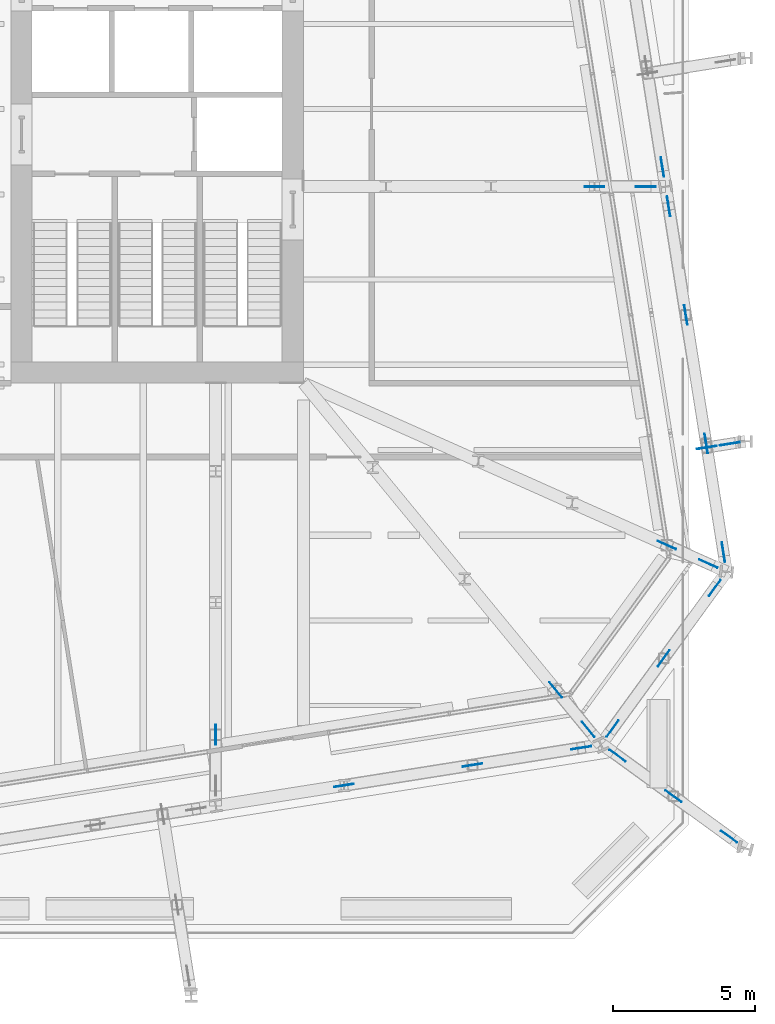
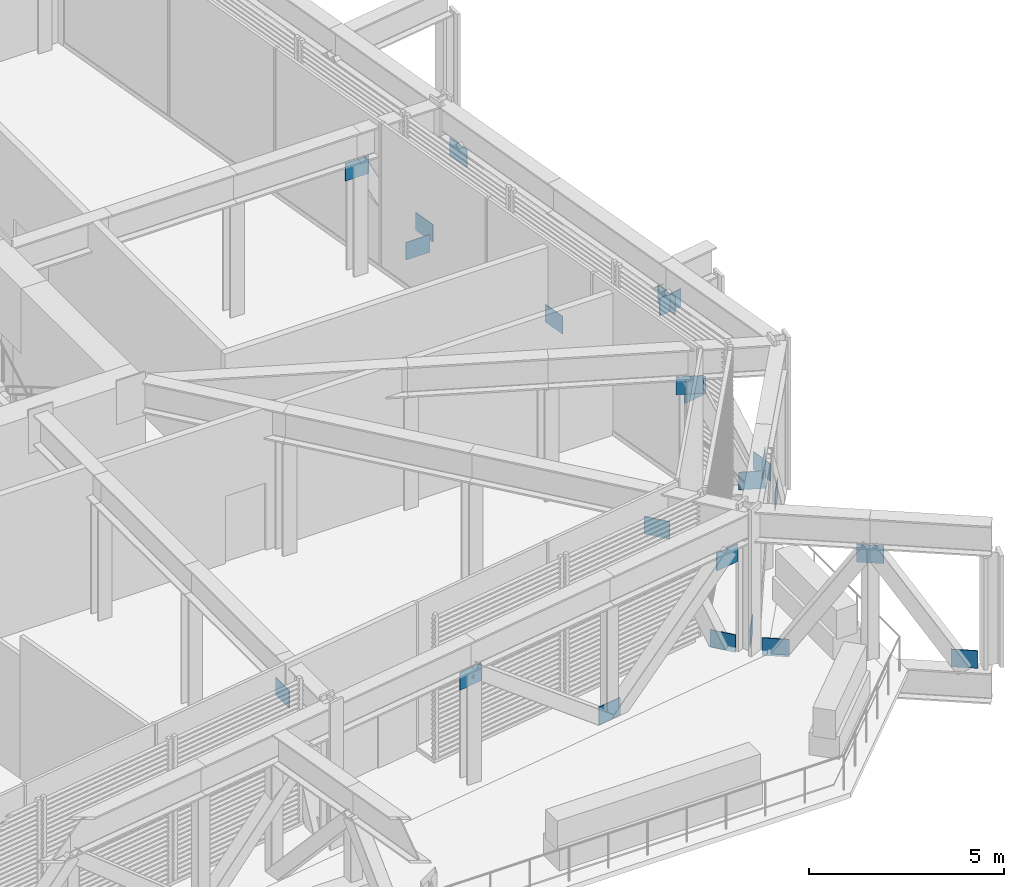
# One storey, part 26 of 32: 23 discrete accessories.
"""IFC4 building model written with IfcOpenShell, lengths in metres."""

import ifcopenshell
import ifcopenshell.guid

model = None  # the IFC model being written
_history = None  # IfcOwnerHistory: only IFC2X3 demands one
_inside = {}  # id of a spatial element -> (the spatial element, [elements in it])
_under = {}  # id of a project, library or spatial element -> (it, [spatial elements below it])
_declared = {}  # id of a project -> (the project, [libraries it declares])
_typed = {}  # id of a type object -> (the type object, [elements of that type])
_made_of = {}  # id of a material, layer set ... -> (it, [elements and type objects made of it])


def new_model(schema):
    """Start an empty IFC model of exactly this schema.

    Asked for "IFC4X3", IfcOpenShell would pick the latest addendum, in which some entities
    have other attributes; the version numbers below select the first issue.
    IFC2X3 requires an IfcOwnerHistory on every rooted entity: one is made here for all.
    """
    global model, _history
    if schema == "IFC4X3":
        model = ifcopenshell.file(schema_version=(4, 3, 0, 0))
    else:
        model = ifcopenshell.file(schema=schema)
    _inside.clear()
    _under.clear()
    _declared.clear()
    _typed.clear()
    _made_of.clear()
    _history = None
    if model.schema == "IFC2X3":
        org = make("IfcOrganization", Name="unknown")
        user = make(
            "IfcPersonAndOrganization",
            ThePerson=make("IfcPerson", FamilyName="unknown"),
            TheOrganization=org,
        )
        app = make(
            "IfcApplication",
            ApplicationDeveloper=org,
            Version="unknown",
            ApplicationFullName="unknown",
            ApplicationIdentifier="unknown",
        )
        _history = make(
            "IfcOwnerHistory",
            OwningUser=user,
            OwningApplication=app,
            ChangeAction="ADDED",
            CreationDate=0,
        )
    return model


def make(cls, **values):
    """One entity of the class cls with the attributes given. An attribute that is None is left unset."""
    return model.create_entity(
        cls, **{name: value for name, value in values.items() if value is not None}
    )


def rooted(cls, **values):
    """An entity with a GlobalId (a new one), such as an element, a storey or a relation."""
    return make(cls, GlobalId=ifcopenshell.guid.new(), OwnerHistory=_history, **values)


def si_unit(unit_type, name, prefix=None):
    """IfcSIUnit, for example si_unit("LENGTHUNIT", "METRE", prefix="MILLI")."""
    return make("IfcSIUnit", UnitType=unit_type, Prefix=prefix, Name=name)


def assignment(units):
    """IfcUnitAssignment: the units of a project."""
    return None if units is None else make("IfcUnitAssignment", Units=units)


def point(xyz):
    """IfcCartesianPoint."""
    return None if xyz is None else make("IfcCartesianPoint", Coordinates=xyz)


def direction(xyz):
    """IfcDirection."""
    return None if xyz is None else make("IfcDirection", DirectionRatios=xyz)


def frame(location, z_axis=None, x_axis=None):
    """IfcAxis2Placement3D, a coordinate frame: its origin and axes. An axis left out is left unset."""
    return make(
        "IfcAxis2Placement3D",
        Location=point(location),
        Axis=direction(z_axis),
        RefDirection=direction(x_axis),
    )


def frame_2d(location, x_axis=None):
    """IfcAxis2Placement2D, a coordinate frame in the plane: its origin and x axis."""
    return make(
        "IfcAxis2Placement2D", Location=point(location), RefDirection=direction(x_axis)
    )


def origin():
    """The frame at (0, 0, 0) with its axes left unset."""
    return frame((0.0, 0.0, 0.0))


def origin_2d():
    """The frame at (0, 0) in the plane with its x axis left unset."""
    return frame_2d((0.0, 0.0))


def place(relative_to, where):
    """IfcLocalPlacement: puts the frame where relative to a parent placement (None: the world)."""
    return make(
        "IfcLocalPlacement", PlacementRelTo=relative_to, RelativePlacement=where
    )


def context(
    kind, dimensions, precision=None, world=None, true_north=None, identifier=None
):
    """IfcGeometricRepresentationContext, for example the 3D "Model" context."""
    return make(
        "IfcGeometricRepresentationContext",
        ContextIdentifier=identifier,
        ContextType=kind,
        CoordinateSpaceDimension=dimensions,
        Precision=precision,
        WorldCoordinateSystem=world,
        TrueNorth=true_north,
    )


def subcontext(parent, identifier, kind, view, scale=None):
    """IfcGeometricRepresentationSubContext, for example "Body" below "Model"."""
    return make(
        "IfcGeometricRepresentationSubContext",
        ContextIdentifier=identifier,
        ContextType=kind,
        ParentContext=parent,
        TargetScale=scale,
        TargetView=view,
    )


def project(units=None, contexts=None):
    """IfcProject with its units and contexts."""
    return rooted(
        "IfcProject",
        Name="project",
        RepresentationContexts=contexts,
        UnitsInContext=assignment(units),
    )


def spatial(cls, under=None, at=None, **own):
    """A site, building, storey or space (cls), placed at a placement, below another one or the project."""
    s = rooted(cls, ObjectPlacement=at, **own)
    if under is not None:
        _under.setdefault(under.id(), (under, []))[1].append(s)
    return s


def profile(cls, at=None, kind="AREA", **sizes):
    """A parametric profile (cls). Its sizes go by their IFC names, for example OverallWidth=200.0."""
    return make(cls, ProfileType=kind, Position=at, **sizes)


def rectangle(**sizes):
    """IfcRectangleProfileDef."""
    return profile("IfcRectangleProfileDef", **sizes)


def extrude(swept, where, along, depth):
    """IfcExtrudedAreaSolid: the profile swept, set in the frame where, extruded along a direction by depth."""
    return make(
        "IfcExtrudedAreaSolid",
        SweptArea=swept,
        Position=where,
        ExtrudedDirection=direction(along),
        Depth=depth,
    )


def shape(context_of_items, identifier, shape_type, items):
    """IfcShapeRepresentation: the items that make up one representation, for example the "Body"."""
    return make(
        "IfcShapeRepresentation",
        ContextOfItems=context_of_items,
        RepresentationIdentifier=identifier,
        RepresentationType=shape_type,
        Items=items,
    )


def material(Name=None, Category=None):
    """IfcMaterial."""
    return make("IfcMaterial", Name=Name, Category=Category)


def layer(
    of_material, thickness, ventilated=None, Name=None, Category=None, Priority=None
):
    """IfcMaterialLayer: one layer of a wall or slab, of a material (None: an air gap)."""
    return make(
        "IfcMaterialLayer",
        Material=of_material,
        LayerThickness=thickness,
        IsVentilated=ventilated,
        Name=Name,
        Category=Category,
        Priority=Priority,
    )


def layer_set(layers, Name=None):
    """IfcMaterialLayerSet."""
    return make("IfcMaterialLayerSet", MaterialLayers=layers, LayerSetName=Name)


def made_of(thing, what):
    """Note that an element or type object is made of a material, layer set ...; save() writes the relation."""
    if what is not None:
        _made_of.setdefault(what.id(), (what, []))[1].append(thing)
    return thing


def type_object(cls, material=None, **own):
    """A type object (cls), such as IfcWallType, which elements share."""
    return made_of(rooted(cls, **own), material)


def element(
    cls,
    number,
    at=None,
    inside=None,
    cuts=None,
    type_object=None,
    material=None,
    context=None,
    identifier="Body",
    shape_type=None,
    held_by="IfcProductDefinitionShape",
    body=None,
    shapes=None,
    **own,
):
    """One element of the class cls, such as IfcWall. Its Tag is "e" and its number.

    at: its placement. inside: the storey or other place that contains it. cuts: it is an
    opening in that element (IfcRelVoidsElement). A single representation is given by context,
    identifier, shape_type and body (its items); several are given by shapes. held_by: the class
    of the entity that holds the representations. save() writes the other relations.
    """
    e = rooted(cls, Tag="e%d" % number, ObjectPlacement=at, **own)
    if body is not None:
        shapes = [shape(context, identifier, shape_type, body)]
    if shapes is not None:
        e.Representation = make(held_by, Representations=shapes)
    if inside is not None:
        _inside.setdefault(inside.id(), (inside, []))[1].append(e)
    if cuts is not None:
        rooted(
            "IfcRelVoidsElement", RelatingBuildingElement=cuts, RelatedOpeningElement=e
        )
    if type_object is not None:
        _typed.setdefault(type_object.id(), (type_object, []))[1].append(e)
    return made_of(e, material)


def aggregate(whole, parts):
    """IfcRelAggregates: a whole, such as a stair, and the parts it consists of."""
    return rooted("IfcRelAggregates", RelatingObject=whole, RelatedObjects=parts)


def save(model, path):
    """Write the relations noted so far, then the file.

    IfcRelAggregates (storeys below a building ...), IfcRelContainedInSpatialStructure (elements
    in a storey), IfcRelDefinesByType, IfcRelAssociatesMaterial and IfcRelDeclares: one each for
    every whole, place, type object, material and project.
    """
    for whole, parts in _under.values():
        aggregate(whole, parts)
    for where, things in _inside.values():
        rooted(
            "IfcRelContainedInSpatialStructure",
            RelatedElements=things,
            RelatingStructure=where,
        )
    for kind, things in _typed.values():
        rooted("IfcRelDefinesByType", RelatedObjects=things, RelatingType=kind)
    for what, things in _made_of.values():
        rooted("IfcRelAssociatesMaterial", RelatedObjects=things, RelatingMaterial=what)
    for by, libraries in _declared.values():
        rooted("IfcRelDeclares", RelatingContext=by, RelatedDefinitions=libraries)
    model.write(path)


model = new_model("IFC4")

# Units and contexts
model_context = context("Model", 3, precision=1e-05, world=origin(), true_north=direction((0.0, 1.0)))
body_context = subcontext(model_context, "Body", "Model", "MODEL_VIEW")
ifc_project = project(units=[si_unit("LENGTHUNIT", "METRE"), si_unit("AREAUNIT", "SQUARE_METRE"), si_unit("VOLUMEUNIT", "CUBIC_METRE"), si_unit("PLANEANGLEUNIT", "RADIAN"), si_unit("MASSUNIT", "GRAM", prefix="KILO")], contexts=[model_context])

# Site, building, storey
site_placement = place(None, origin())
site = spatial("IfcSite", under=ifc_project, at=site_placement, CompositionType="ELEMENT")
building_placement = place(site_placement, origin())
building = spatial("IfcBuilding", under=site, at=building_placement, Name="Millrace Tower", CompositionType="ELEMENT")
storey_placement = place(building_placement, frame((0.0, 0.0, 124.89990234375)))
storey = spatial("IfcBuildingStorey", under=building, at=storey_placement, Name="L27", CompositionType="ELEMENT", Elevation=124.89990234375)

# Discrete accessories
ifc_material = material(Name="Steel ASTM A572 Grade 50", Category="steel")
ifc_layer = layer(ifc_material, 0.02490234375)
ifc_layer_set = layer_set([ifc_layer], Name="Steel ASTM A572 Grade 50")
discrete_accessory_type = type_object("IfcDiscreteAccessoryType", Name="Truss gusset plate 700x550x25", PredefinedType="BRACKET", material=ifc_layer_set)
for number, where, z_axis, x_axis, name in (
    (1, (20.253662109375, -23.150146484375, 0.114990234375), (0.987663796475, 0.156589351913, 0.0), (-0.156589351913, 0.987663796475, 0.0), "Truss gusset plate TRS-L27-R04-D02 foot"),
    (2, (15.73388671875, -23.865966796875, 3.20751953125), (0.987663796475, 0.156589351913, 0.0), (-0.156589351913, 0.987663796475, 0.0), "Truss gusset plate TRS-L27-R04-D02 head"),
    (3, (24.08203125, -22.543701171875, 3.20751953125), (0.987663796475, 0.156589351913, 0.0), (-0.156589351913, 0.987663796475, 0.0), "Truss gusset plate TRS-L27-R04-D03 head"),
    (4, (25.32470703125, -22.09619140625, 0.114990234375), (0.588047260207, 0.808826569644, 0.0), (-0.808826569644, 0.588047260207, 0.0), "Truss gusset plate TRS-L27-R05-D01 foot"),
):
    element("IfcDiscreteAccessory", number, at=place(storey_placement, frame(where, z_axis=z_axis, x_axis=x_axis)), inside=storey, type_object=discrete_accessory_type, Name=name, PredefinedType="BRACKET", context=body_context, shape_type="SweptSolid", body=[
        extrude(rectangle(XDim=0.02490234375, YDim=0.550048828125, at=origin_2d()), origin(), (0.0, 0.0, 1.0), 0.699951171875),
    ])
discrete_accessory_1_placement = place(storey_placement, frame((27.125, -19.618408203125, 3.20751953125), z_axis=(0.587881403835, 0.80894712746, 0.0), x_axis=(-0.80894712746, 0.587881403835, 0.0)))
element("IfcDiscreteAccessory", 5, at=discrete_accessory_1_placement, inside=storey, type_object=discrete_accessory_type, Name="Truss gusset plate TRS-L27-R05-D01 head", PredefinedType="BRACKET", context=body_context, shape_type="SweptSolid", body=[
    extrude(rectangle(XDim=0.02490234375, YDim=0.550048828125, at=origin_2d()), origin(), (0.0, 0.0, 1.0), 0.7001953125),
])
for number, where, z_axis, x_axis, name in (
    (6, (28.925537109375, -17.140380859375, 0.114990234375), (0.587819016355, 0.808992462271, 0.0), (-0.808992462271, 0.587819016355, 0.0), "Truss gusset plate TRS-L27-R05-D02 foot"),
    (7, (29.37841796875, -15.25390625, 0.114990234375), (0.156249124184, -0.987717677878, 0.0), (0.987717677878, 0.156249124184, 0.0), "Truss gusset plate TRS-L27-R06-D01 foot"),
    (8, (28.77197265625, -11.42529296875, 3.20751953125), (0.156589351913, -0.987663796475, 0.0), (0.987663796475, 0.156589351913, 0.0), "Truss gusset plate TRS-L27-R06-D01 head"),
    (9, (28.05615234375, -6.905517578125, 0.114990234375), (0.156589351913, -0.987663796475, 0.0), (0.987663796475, 0.156589351913, 0.0), "Truss gusset plate TRS-L27-R06-D02 foot"),
    (10, (27.44970703125, -3.0771484375, 3.20751953125), (0.156589351913, -0.987663796475, 0.0), (0.987663796475, 0.156589351913, 0.0), "Truss gusset plate TRS-L27-R06-D03 head"),
    (11, (27.230712890625, -1.6943359375, 0.114990234375), (0.156589351913, -0.987663796475, 0.0), (0.987663796475, 0.156589351913, 0.0), "Truss gusset plate TRS-L27-R07-D01 foot"),
):
    element("IfcDiscreteAccessory", number, at=place(storey_placement, frame(where, z_axis=z_axis, x_axis=x_axis)), inside=storey, type_object=discrete_accessory_type, Name=name, PredefinedType="BRACKET", context=body_context, shape_type="SweptSolid", body=[
        extrude(rectangle(XDim=0.02490234375, YDim=0.550048828125, at=origin_2d()), origin(), (0.0, 0.0, 1.0), 0.699951171875),
    ])
discrete_accessory_2_placement = place(storey_placement, frame((11.559814453125, -22.377197265625, 3.20751953125), z_axis=(0.0, 1.0, 0.0), x_axis=(-1.0, 0.0, 0.0)))
element("IfcDiscreteAccessory", 12, at=discrete_accessory_2_placement, inside=storey, type_object=discrete_accessory_type, Name="Truss gusset plate TRS-L27-C04-D01 head", PredefinedType="BRACKET", context=body_context, shape_type="SweptSolid", body=[
    extrude(rectangle(XDim=0.02490234375, YDim=0.550048828125, at=origin_2d()), origin(), (0.0, 0.0, 1.0), 0.7001953125),
])
for number, where, z_axis, x_axis, name in (
    (13, (24.4521484375, -21.568603515625, 0.114990234375), (0.635230269219, -0.77232279849, 0.0), (0.77232279849, 0.635230269219, 0.0), "Truss gusset plate TRS-L27-C05-D01 foot"),
    (14, (23.308837890625, -20.17822265625, 3.20751953125), (0.635059159829, -0.772463503032, 0.0), (0.772463503032, 0.635059159829, 0.0), "Truss gusset plate TRS-L27-C05-D01 head"),
    (15, (28.583740234375, -15.86328125, 0.114990234375), (0.913235242932, -0.407432682866, 0.0), (0.407432682866, 0.913235242932, 0.0), "Truss gusset plate TRS-L27-C06-D01 foot"),
):
    element("IfcDiscreteAccessory", number, at=place(storey_placement, frame(where, z_axis=z_axis, x_axis=x_axis)), inside=storey, type_object=discrete_accessory_type, Name=name, PredefinedType="BRACKET", context=body_context, shape_type="SweptSolid", body=[
        extrude(rectangle(XDim=0.02490234375, YDim=0.550048828125, at=origin_2d()), origin(), (0.0, 0.0, 1.0), 0.699951171875),
    ])
discrete_accessory_3_placement = place(storey_placement, frame((27.122314453125, -15.211669921875, 3.20751953125), z_axis=(0.91329312143, -0.407302927007, 0.0), x_axis=(0.407302927007, 0.91329312143, 0.0)))
element("IfcDiscreteAccessory", 16, at=discrete_accessory_3_placement, inside=storey, type_object=discrete_accessory_type, Name="Truss gusset plate TRS-L27-C06-D01 head", PredefinedType="BRACKET", context=body_context, shape_type="SweptSolid", body=[
    extrude(rectangle(XDim=0.02490234375, YDim=0.550048828125, at=origin_2d()), origin(), (0.0, 0.0, 1.0), 0.7001953125),
])
for number, where, z_axis, x_axis, name in (
    (17, (26.34521484375, -2.7314453125, 0.114990234375), (1.0, 0.0, 0.0), (0.0, 1.0, 0.0), "Truss gusset plate TRS-L27-C07-D01 foot"),
    (18, (24.545166015625, -2.7314453125, 3.20751953125), (1.0, 0.0, 0.0), (0.0, 1.0, 0.0), "Truss gusset plate TRS-L27-C07-D01 head"),
    (19, (29.3505859375, -25.411376953125, 0.114990234375), (0.808992462271, -0.587819016355, 0.0), (0.587819016355, 0.808992462271, 0.0), "Truss gusset plate TRS-L27-B-B-X06-D01 foot"),
    (20, (27.386474609375, -23.984375, 3.20751953125), (0.809112951205, -0.587653156371, 0.0), (0.587653156371, 0.809112951205, 0.0), "Truss gusset plate TRS-L27-B-B-X06-D01 head"),
    (21, (25.422607421875, -22.557373046875, 0.114990234375), (0.808992462271, -0.587819016355, 0.0), (0.587819016355, 0.808992462271, 0.0), "Truss gusset plate TRS-L27-B-B-X06-D02 foot"),
    (22, (29.314208984375, -11.84033203125, 0.114990234375), (0.987663796475, 0.156589351913, 0.0), (-0.156589351913, 0.987663796475, 0.0), "Truss gusset plate TRS-L27-B-B-X07-D01 foot"),
    (23, (28.503662109375, -11.96875, 3.20751953125), (0.987663796475, 0.156589351913, 0.0), (-0.156589351913, 0.987663796475, 0.0), "Truss gusset plate TRS-L27-B-B-X07-D01 head"),
):
    element("IfcDiscreteAccessory", number, at=place(storey_placement, frame(where, z_axis=z_axis, x_axis=x_axis)), inside=storey, type_object=discrete_accessory_type, Name=name, PredefinedType="BRACKET", context=body_context, shape_type="SweptSolid", body=[
        extrude(rectangle(XDim=0.02490234375, YDim=0.550048828125, at=origin_2d()), origin(), (0.0, 0.0, 1.0), 0.699951171875),
    ])

save(model, "model.ifc")
